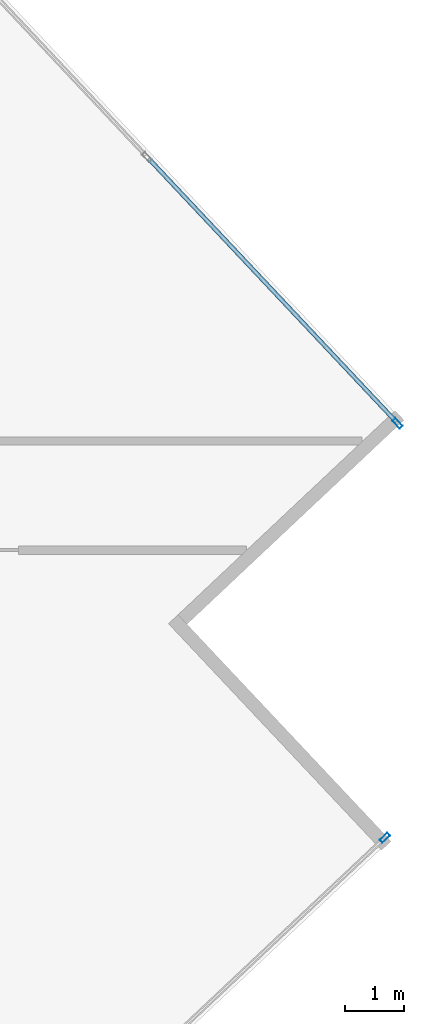
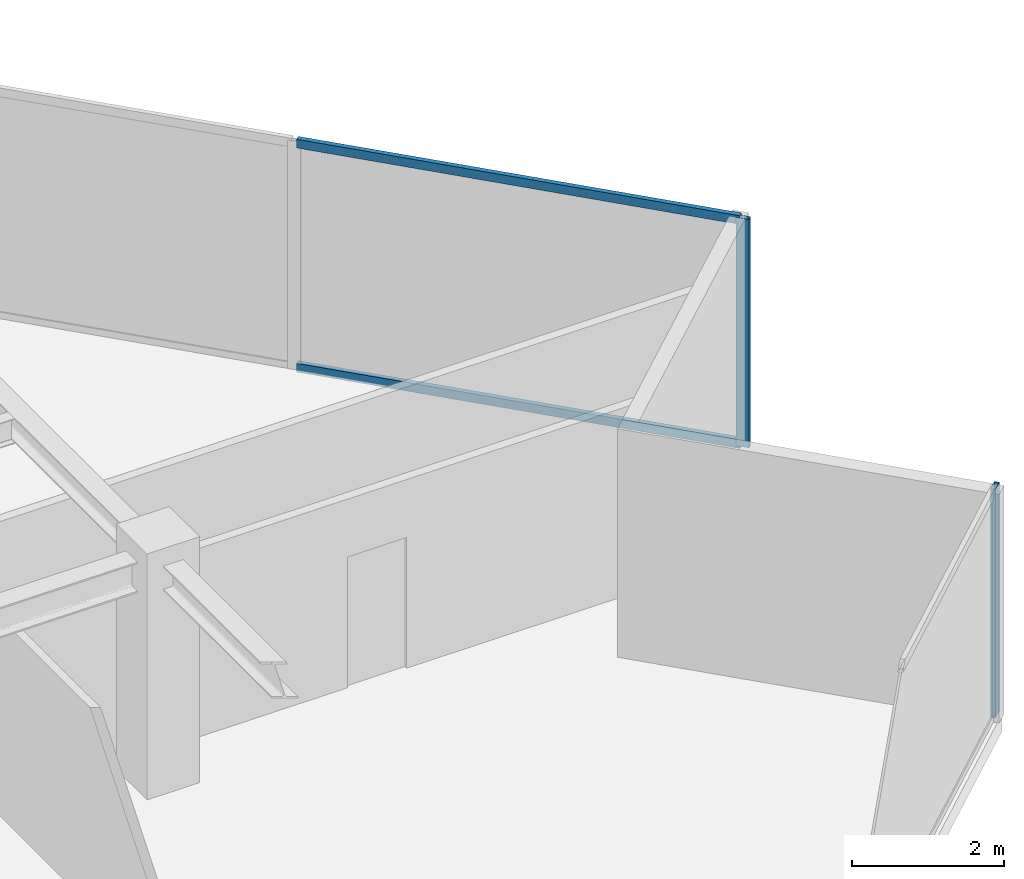
# One storey, part 12 of 24: 4 members, 2 elements without a shape of their own.
"""IFC4 building model written with IfcOpenShell, lengths in metres."""

from ifc_helpers import new_model, si_unit, direction, frame, origin, origin_2d, place, context, subcontext, project, spatial, hollow_rectangle, extrude, source, transform, mapped, material, material_profile, profile_set, type_object, type_shapes, element, aggregate, save


model = new_model("IFC4")

# Units and contexts
model_context = context("Model", 3, precision=1e-05, world=origin(), true_north=direction((0.0, 1.0)))
body_context = subcontext(model_context, "Body", "Model", "MODEL_VIEW")
ifc_project = project(units=[si_unit("LENGTHUNIT", "METRE"), si_unit("AREAUNIT", "SQUARE_METRE"), si_unit("VOLUMEUNIT", "CUBIC_METRE"), si_unit("PLANEANGLEUNIT", "RADIAN"), si_unit("MASSUNIT", "GRAM", prefix="KILO")], contexts=[model_context])

# Site, building, storey
site_placement = place(None, origin())
site = spatial("IfcSite", under=ifc_project, at=site_placement, CompositionType="ELEMENT")
building_placement = place(site_placement, origin())
building = spatial("IfcBuilding", under=site, at=building_placement, Name="Krantzveldt Concourse Tower", CompositionType="ELEMENT")
storey_placement = place(building_placement, frame((0.0, 0.0, 242.85009765625)))
storey = spatial("IfcBuildingStorey", under=building, at=storey_placement, Name="L59", CompositionType="ELEMENT", Elevation=242.85009765625)

# Curtain wall, member
ifc_material = material(Name="Anodised aluminium 6063-T6", Category="aluminium")
curtain_wall_type = type_object("IfcCurtainWallType", Name="CW3", PredefinedType="USERDEFINED", material=ifc_material)
curtain_wall_1_placement = place(storey_placement, origin())
curtain_wall_1 = element("IfcCurtainWall", 1, at=curtain_wall_1_placement, inside=storey, type_object=curtain_wall_type, Name="CW-L59-F11", ObjectType="UNITISED CURTAIN WALL", PredefinedType="USERDEFINED")
ifc_material_profile_1 = material_profile(ifc_material, hollow_rectangle(XDim=0.070068359375, YDim=0.179931640625, WallThickness=0.0048828125, at=origin_2d()), Name="Anodised aluminium 6063-T6", Category="aluminium")
ifc_profile_set_1 = profile_set([ifc_material_profile_1], Name="Anodised aluminium 6063-T6 - ALU-MULL 180x70x5")
member_type_1 = type_object("IfcMemberType", Name="CW-MUL-180", PredefinedType="MULLION", material=ifc_profile_set_1)
shared_shape_1 = source(origin(), body_context, "Body", "SweptSolid", [
    extrude(hollow_rectangle(XDim=0.070068359375, YDim=0.179931640625, WallThickness=0.0048828125, at=origin_2d()), origin(), (0.0, 0.0, 1.0), 3.669921875),
])
type_shapes(member_type_1, [shared_shape_1])
member_1_placement = place(storey_placement, frame((61.248779296875, 22.430419921875, 0.0), z_axis=(0.0, 0.0, 1.0), x_axis=(-0.685182945184, 0.728371012348, 0.0)))
member_1 = element("IfcMember", 2, at=member_1_placement, type_object=member_type_1, Name="CW-Z34 mullion 6", PredefinedType="MULLION", context=body_context, shape_type="MappedRepresentation", body=[
    mapped(shared_shape_1, transform((0.0, 0.0, 0.0), x_axis=(1.0, 0.0, 0.0), y_axis=(0.0, 1.0, 0.0), z_axis=(0.0, 0.0, 1.0), scale=1.0)),
])
aggregate(curtain_wall_1, [member_1])

# Curtain wall, members
curtain_wall_2_placement = place(storey_placement, origin())
curtain_wall_2 = element("IfcCurtainWall", 3, at=curtain_wall_2_placement, inside=storey, type_object=curtain_wall_type, Name="CW-L59-F14", ObjectType="UNITISED CURTAIN WALL", PredefinedType="USERDEFINED")
member_2_placement = place(storey_placement, frame((61.46240234375, 29.42041015625, 0.0), z_axis=(0.0, 0.0, 1.0), x_axis=(-0.728371012348, -0.685182945184, 0.0)))
member_2 = element("IfcMember", 4, at=member_2_placement, type_object=member_type_1, Name="CW-Z34 mullion 1", PredefinedType="MULLION", context=body_context, shape_type="MappedRepresentation", body=[
    mapped(shared_shape_1, transform((0.0, 0.0, 0.0), x_axis=(1.0, 0.0, 0.0), y_axis=(0.0, 1.0, 0.0), z_axis=(0.0, 0.0, 1.0), scale=1.0)),
])
ifc_material_profile_2 = material_profile(ifc_material, hollow_rectangle(XDim=0.070068359375, YDim=0.139892578125, WallThickness=0.0048828125, at=origin_2d()), Name="Anodised aluminium 6063-T6", Category="aluminium")
ifc_profile_set_2 = profile_set([ifc_material_profile_2], Name="Anodised aluminium 6063-T6 - ALU-TRAN 140x70x5")
member_type_2 = type_object("IfcMemberType", Name="CW-TRN-150", PredefinedType="USERDEFINED", material=ifc_profile_set_2)
shared_shape_2 = source(origin(), body_context, "Body", "SweptSolid", [
    extrude(hollow_rectangle(XDim=0.070068359375, YDim=0.139892578125, WallThickness=0.0048828125, at=origin_2d()), origin(), (0.0, 0.0, 1.0), 6.094970703125),
])
type_shapes(member_type_2, [shared_shape_2])
member_3_placement = place(storey_placement, frame((61.4384765625, 29.44580078125, 0.034912109375), z_axis=(-0.685187259072, 0.728366954224, 0.0), x_axis=(-0.728366954224, -0.685187259072, 0.0)))
member_3 = element("IfcMember", 5, at=member_3_placement, type_object=member_type_2, Name="CW-Z34 transom 1.1", ObjectType="TRANSOM", PredefinedType="USERDEFINED", context=body_context, shape_type="MappedRepresentation", body=[
    mapped(shared_shape_2, transform((0.0, 0.0, 0.0), x_axis=(1.0, 0.0, 0.0), y_axis=(0.0, 1.0, 0.0), z_axis=(0.0, 0.0, 1.0), scale=1.0)),
])
member_4_placement = place(storey_placement, frame((61.4384765625, 29.44580078125, 3.635009765625), z_axis=(-0.685187259072, 0.728366954224, 0.0), x_axis=(-0.728366954224, -0.685187259072, 0.0)))
member_4 = element("IfcMember", 6, at=member_4_placement, type_object=member_type_2, Name="CW-Z34 transom 1.2", ObjectType="TRANSOM", PredefinedType="USERDEFINED", context=body_context, shape_type="MappedRepresentation", body=[
    mapped(shared_shape_2, transform((0.0, 0.0, 0.0), x_axis=(1.0, 0.0, 0.0), y_axis=(0.0, 1.0, 0.0), z_axis=(0.0, 0.0, 1.0), scale=1.0)),
])
aggregate(curtain_wall_2, [member_2, member_3, member_4])

save(model, "model.ifc")
